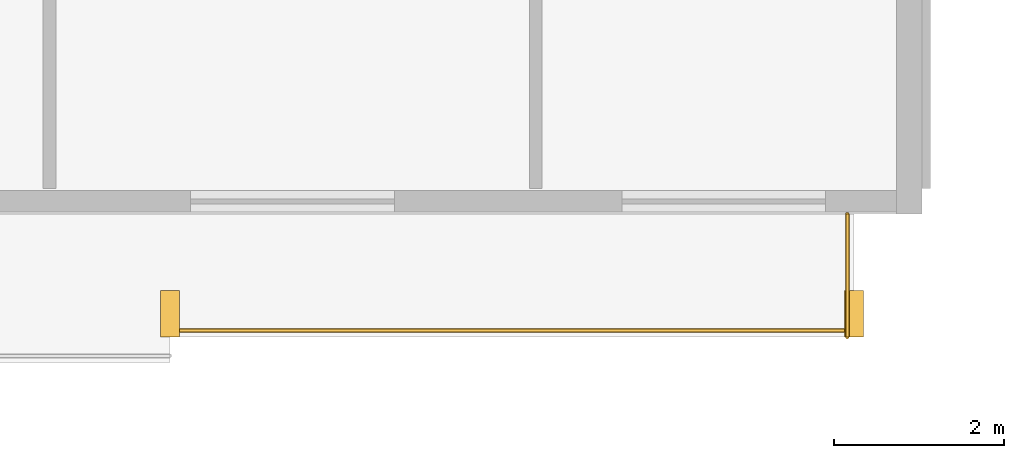
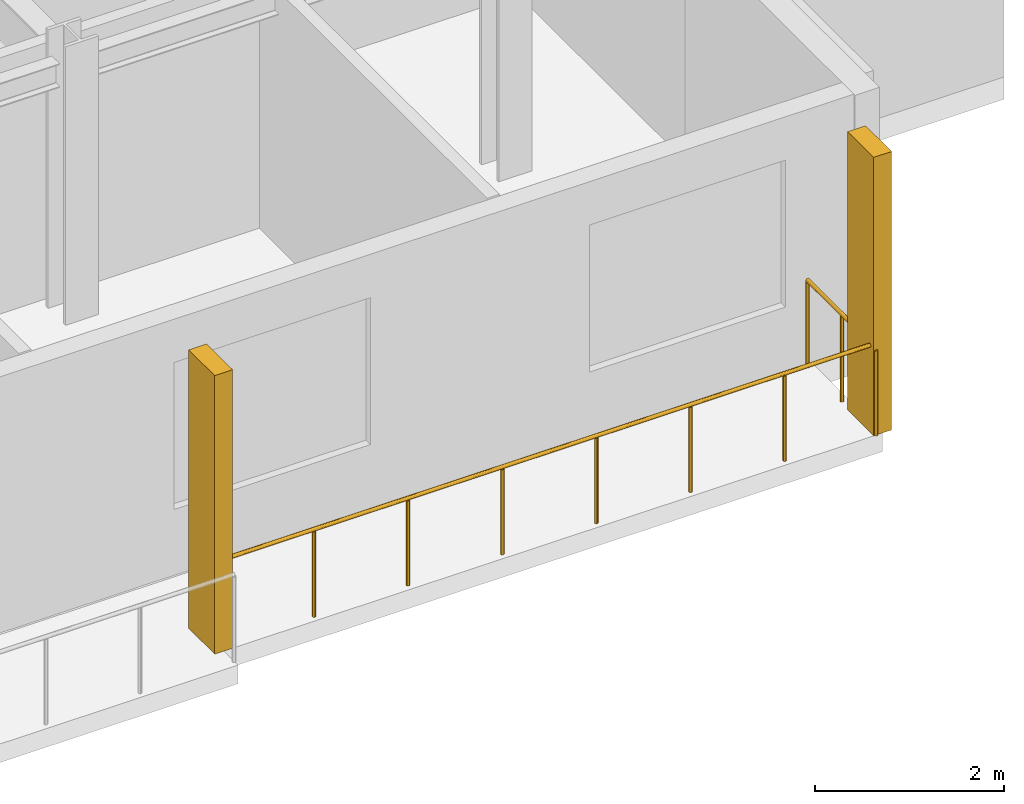
# One storey, part 34 of 36: 2 railings, 2 shading devices.
"""IFC4 building model written with IfcOpenShell, lengths in metres."""

import ifcopenshell
import ifcopenshell.guid

model = None  # the IFC model being written
_history = None  # IfcOwnerHistory: only IFC2X3 demands one
_inside = {}  # id of a spatial element -> (the spatial element, [elements in it])
_under = {}  # id of a project, library or spatial element -> (it, [spatial elements below it])
_declared = {}  # id of a project -> (the project, [libraries it declares])
_typed = {}  # id of a type object -> (the type object, [elements of that type])
_made_of = {}  # id of a material, layer set ... -> (it, [elements and type objects made of it])


def new_model(schema):
    """Start an empty IFC model of exactly this schema.

    Asked for "IFC4X3", IfcOpenShell would pick the latest addendum, in which some entities
    have other attributes; the version numbers below select the first issue.
    IFC2X3 requires an IfcOwnerHistory on every rooted entity: one is made here for all.
    """
    global model, _history
    if schema == "IFC4X3":
        model = ifcopenshell.file(schema_version=(4, 3, 0, 0))
    else:
        model = ifcopenshell.file(schema=schema)
    _inside.clear()
    _under.clear()
    _declared.clear()
    _typed.clear()
    _made_of.clear()
    _history = None
    if model.schema == "IFC2X3":
        org = make("IfcOrganization", Name="unknown")
        user = make(
            "IfcPersonAndOrganization",
            ThePerson=make("IfcPerson", FamilyName="unknown"),
            TheOrganization=org,
        )
        app = make(
            "IfcApplication",
            ApplicationDeveloper=org,
            Version="unknown",
            ApplicationFullName="unknown",
            ApplicationIdentifier="unknown",
        )
        _history = make(
            "IfcOwnerHistory",
            OwningUser=user,
            OwningApplication=app,
            ChangeAction="ADDED",
            CreationDate=0,
        )
    return model


def make(cls, **values):
    """One entity of the class cls with the attributes given. An attribute that is None is left unset."""
    return model.create_entity(
        cls, **{name: value for name, value in values.items() if value is not None}
    )


def rooted(cls, **values):
    """An entity with a GlobalId (a new one), such as an element, a storey or a relation."""
    return make(cls, GlobalId=ifcopenshell.guid.new(), OwnerHistory=_history, **values)


def si_unit(unit_type, name, prefix=None):
    """IfcSIUnit, for example si_unit("LENGTHUNIT", "METRE", prefix="MILLI")."""
    return make("IfcSIUnit", UnitType=unit_type, Prefix=prefix, Name=name)


def assignment(units):
    """IfcUnitAssignment: the units of a project."""
    return None if units is None else make("IfcUnitAssignment", Units=units)


def point(xyz):
    """IfcCartesianPoint."""
    return None if xyz is None else make("IfcCartesianPoint", Coordinates=xyz)


def direction(xyz):
    """IfcDirection."""
    return None if xyz is None else make("IfcDirection", DirectionRatios=xyz)


def frame(location, z_axis=None, x_axis=None):
    """IfcAxis2Placement3D, a coordinate frame: its origin and axes. An axis left out is left unset."""
    return make(
        "IfcAxis2Placement3D",
        Location=point(location),
        Axis=direction(z_axis),
        RefDirection=direction(x_axis),
    )


def frame_2d(location, x_axis=None):
    """IfcAxis2Placement2D, a coordinate frame in the plane: its origin and x axis."""
    return make(
        "IfcAxis2Placement2D", Location=point(location), RefDirection=direction(x_axis)
    )


def origin():
    """The frame at (0, 0, 0) with its axes left unset."""
    return frame((0.0, 0.0, 0.0))


def origin_2d():
    """The frame at (0, 0) in the plane with its x axis left unset."""
    return frame_2d((0.0, 0.0))


def place(relative_to, where):
    """IfcLocalPlacement: puts the frame where relative to a parent placement (None: the world)."""
    return make(
        "IfcLocalPlacement", PlacementRelTo=relative_to, RelativePlacement=where
    )


def context(
    kind, dimensions, precision=None, world=None, true_north=None, identifier=None
):
    """IfcGeometricRepresentationContext, for example the 3D "Model" context."""
    return make(
        "IfcGeometricRepresentationContext",
        ContextIdentifier=identifier,
        ContextType=kind,
        CoordinateSpaceDimension=dimensions,
        Precision=precision,
        WorldCoordinateSystem=world,
        TrueNorth=true_north,
    )


def subcontext(parent, identifier, kind, view, scale=None):
    """IfcGeometricRepresentationSubContext, for example "Body" below "Model"."""
    return make(
        "IfcGeometricRepresentationSubContext",
        ContextIdentifier=identifier,
        ContextType=kind,
        ParentContext=parent,
        TargetScale=scale,
        TargetView=view,
    )


def project(units=None, contexts=None):
    """IfcProject with its units and contexts."""
    return rooted(
        "IfcProject",
        Name="project",
        RepresentationContexts=contexts,
        UnitsInContext=assignment(units),
    )


def spatial(cls, under=None, at=None, **own):
    """A site, building, storey or space (cls), placed at a placement, below another one or the project."""
    s = rooted(cls, ObjectPlacement=at, **own)
    if under is not None:
        _under.setdefault(under.id(), (under, []))[1].append(s)
    return s


def profile(cls, at=None, kind="AREA", **sizes):
    """A parametric profile (cls). Its sizes go by their IFC names, for example OverallWidth=200.0."""
    return make(cls, ProfileType=kind, Position=at, **sizes)


def rectangle(**sizes):
    """IfcRectangleProfileDef."""
    return profile("IfcRectangleProfileDef", **sizes)


def circle(**sizes):
    """IfcCircleProfileDef."""
    return profile("IfcCircleProfileDef", **sizes)


def extrude(swept, where, along, depth):
    """IfcExtrudedAreaSolid: the profile swept, set in the frame where, extruded along a direction by depth."""
    return make(
        "IfcExtrudedAreaSolid",
        SweptArea=swept,
        Position=where,
        ExtrudedDirection=direction(along),
        Depth=depth,
    )


def shape(context_of_items, identifier, shape_type, items):
    """IfcShapeRepresentation: the items that make up one representation, for example the "Body"."""
    return make(
        "IfcShapeRepresentation",
        ContextOfItems=context_of_items,
        RepresentationIdentifier=identifier,
        RepresentationType=shape_type,
        Items=items,
    )


def material(Name=None, Category=None):
    """IfcMaterial."""
    return make("IfcMaterial", Name=Name, Category=Category)


def made_of(thing, what):
    """Note that an element or type object is made of a material, layer set ...; save() writes the relation."""
    if what is not None:
        _made_of.setdefault(what.id(), (what, []))[1].append(thing)
    return thing


def type_object(cls, material=None, **own):
    """A type object (cls), such as IfcWallType, which elements share."""
    return made_of(rooted(cls, **own), material)


def element(
    cls,
    number,
    at=None,
    inside=None,
    cuts=None,
    type_object=None,
    material=None,
    context=None,
    identifier="Body",
    shape_type=None,
    held_by="IfcProductDefinitionShape",
    body=None,
    shapes=None,
    **own,
):
    """One element of the class cls, such as IfcWall. Its Tag is "e" and its number.

    at: its placement. inside: the storey or other place that contains it. cuts: it is an
    opening in that element (IfcRelVoidsElement). A single representation is given by context,
    identifier, shape_type and body (its items); several are given by shapes. held_by: the class
    of the entity that holds the representations. save() writes the other relations.
    """
    e = rooted(cls, Tag="e%d" % number, ObjectPlacement=at, **own)
    if body is not None:
        shapes = [shape(context, identifier, shape_type, body)]
    if shapes is not None:
        e.Representation = make(held_by, Representations=shapes)
    if inside is not None:
        _inside.setdefault(inside.id(), (inside, []))[1].append(e)
    if cuts is not None:
        rooted(
            "IfcRelVoidsElement", RelatingBuildingElement=cuts, RelatedOpeningElement=e
        )
    if type_object is not None:
        _typed.setdefault(type_object.id(), (type_object, []))[1].append(e)
    return made_of(e, material)


def aggregate(whole, parts):
    """IfcRelAggregates: a whole, such as a stair, and the parts it consists of."""
    return rooted("IfcRelAggregates", RelatingObject=whole, RelatedObjects=parts)


def save(model, path):
    """Write the relations noted so far, then the file.

    IfcRelAggregates (storeys below a building ...), IfcRelContainedInSpatialStructure (elements
    in a storey), IfcRelDefinesByType, IfcRelAssociatesMaterial and IfcRelDeclares: one each for
    every whole, place, type object, material and project.
    """
    for whole, parts in _under.values():
        aggregate(whole, parts)
    for where, things in _inside.values():
        rooted(
            "IfcRelContainedInSpatialStructure",
            RelatedElements=things,
            RelatingStructure=where,
        )
    for kind, things in _typed.values():
        rooted("IfcRelDefinesByType", RelatedObjects=things, RelatingType=kind)
    for what, things in _made_of.values():
        rooted("IfcRelAssociatesMaterial", RelatedObjects=things, RelatingMaterial=what)
    for by, libraries in _declared.values():
        rooted("IfcRelDeclares", RelatingContext=by, RelatedDefinitions=libraries)
    model.write(path)


model = new_model("IFC4")

# Units and contexts
model_context = context("Model", 3, precision=1e-05, world=origin(), true_north=direction((0.0, 1.0)))
body_context = subcontext(model_context, "Body", "Model", "MODEL_VIEW")
ifc_project = project(units=[si_unit("LENGTHUNIT", "METRE"), si_unit("AREAUNIT", "SQUARE_METRE"), si_unit("VOLUMEUNIT", "CUBIC_METRE"), si_unit("PLANEANGLEUNIT", "RADIAN"), si_unit("MASSUNIT", "GRAM", prefix="KILO")], contexts=[model_context])

# Site, building, storey
site_placement = place(None, origin())
site = spatial("IfcSite", under=ifc_project, at=site_placement, CompositionType="ELEMENT")
building_placement = place(site_placement, origin())
building = spatial("IfcBuilding", under=site, at=building_placement, Name="Korimba Cascade Residences", CompositionType="ELEMENT")
storey_placement = place(building_placement, frame((0.0, 0.0, 139.300048828125)))
storey = spatial("IfcBuildingStorey", under=building, at=storey_placement, Name="L40", CompositionType="ELEMENT", Elevation=139.300048828125)

# Railings
ifc_material_1 = material(Name="Laminated Glass and Bronze Balustrade", Category="glass")
railing_type = type_object("IfcRailingType", Name="RLG-LOG-1150", PredefinedType="BALUSTRADE", material=ifc_material_1)
railing_1_placement = place(storey_placement, frame((121.843017578125, -10.3701171875, 0.0)))
element("IfcRailing", 1, at=railing_1_placement, inside=storey, type_object=railing_type, Name="L40 Perimeter Guardrail RLG-L40-T2-LOG-07", PredefinedType="BALUSTRADE", context=body_context, shape_type="SweptSolid", body=[
    extrude(circle(Radius=0.02392578125, at=origin_2d()), frame((0.0, 0.0, 1.1259765625), z_axis=(1.0, 0.0, 0.0), x_axis=(0.0, 1.0, 0.0)), (0.0, 0.0, 1.0), 8.056884765625),
    extrude(circle(Radius=0.02099609375, at=origin_2d()), origin(), (0.0, 0.0, 1.0), 1.101806640625),
    extrude(circle(Radius=0.02099609375, at=origin_2d()), frame((1.15087890625, 0.0, 0.0)), (0.0, 0.0, 1.0), 1.101806640625),
    extrude(circle(Radius=0.02099609375, at=origin_2d()), frame((2.302001953125, 0.0, 0.0)), (0.0, 0.0, 1.0), 1.101806640625),
    extrude(circle(Radius=0.02099609375, at=origin_2d()), frame((3.452880859375, 0.0, 0.0)), (0.0, 0.0, 1.0), 1.101806640625),
    extrude(circle(Radius=0.02099609375, at=origin_2d()), frame((4.60400390625, 0.0, 0.0)), (0.0, 0.0, 1.0), 1.101806640625),
    extrude(circle(Radius=0.02099609375, at=origin_2d()), frame((5.7548828125, 0.0, 0.0)), (0.0, 0.0, 1.0), 1.101806640625),
    extrude(circle(Radius=0.02099609375, at=origin_2d()), frame((6.906005859375, 0.0, 0.0)), (0.0, 0.0, 1.0), 1.101806640625),
    extrude(circle(Radius=0.02099609375, at=origin_2d()), frame((8.056884765625, 0.0, 0.0)), (0.0, 0.0, 1.0), 1.101806640625),
])
railing_2_placement = place(storey_placement, frame((129.820068359375, -10.449951171875, 0.0)))
element("IfcRailing", 2, at=railing_2_placement, inside=storey, type_object=railing_type, Name="L40 Perimeter Guardrail RLG-L40-T2-LOG-08", PredefinedType="BALUSTRADE", context=body_context, shape_type="SweptSolid", body=[
    extrude(circle(Radius=0.02392578125, at=origin_2d()), frame((0.0, 0.0, 1.1259765625), z_axis=(0.0, 1.0, 0.0), x_axis=(-1.0, 0.0, 0.0)), (0.0, 0.0, 1.0), 1.449951171875),
    extrude(circle(Radius=0.02099609375, at=origin_2d()), origin(), (0.0, 0.0, 1.0), 1.101806640625),
    extrude(circle(Radius=0.02099609375, at=origin_2d()), frame((0.0, 0.72509765625, 0.0)), (0.0, 0.0, 1.0), 1.101806640625),
    extrude(circle(Radius=0.02099609375, at=origin_2d()), frame((0.0, 1.449951171875, 0.0)), (0.0, 0.0, 1.0), 1.101806640625),
])

# Shading devices
ifc_material_2 = material(Name="Honed Sandstone Precast Fin", Category="masonry")
shading_device_type = type_object("IfcShadingDeviceType", Name="SHD-FIN-550", PredefinedType="USERDEFINED", material=ifc_material_2)
for number, where, z_axis, x_axis, name in (
    (3, (121.843017578125, -10.175048828125, 0.0), (0.0, 0.0, 1.0), (1.0, 0.0, 0.0), "L40 T2 Warm-Stone Loggia Fin 7"),
    (4, (129.89990234375, -10.175048828125, 0.0), (0.0, 0.0, 1.0), (1.0, 0.0, 0.0), "L40 T2 Warm-Stone Loggia Fin 8"),
):
    element("IfcShadingDevice", number, at=place(storey_placement, frame(where, z_axis=z_axis, x_axis=x_axis)), inside=storey, type_object=shading_device_type, Name=name, ObjectType="FIN", PredefinedType="USERDEFINED", context=body_context, shape_type="SweptSolid", body=[
        extrude(rectangle(XDim=0.219970703125, YDim=0.550048828125, at=origin_2d()), origin(), (0.0, 0.0, 1.0), 3.60009765625),
    ])

save(model, "model.ifc")
